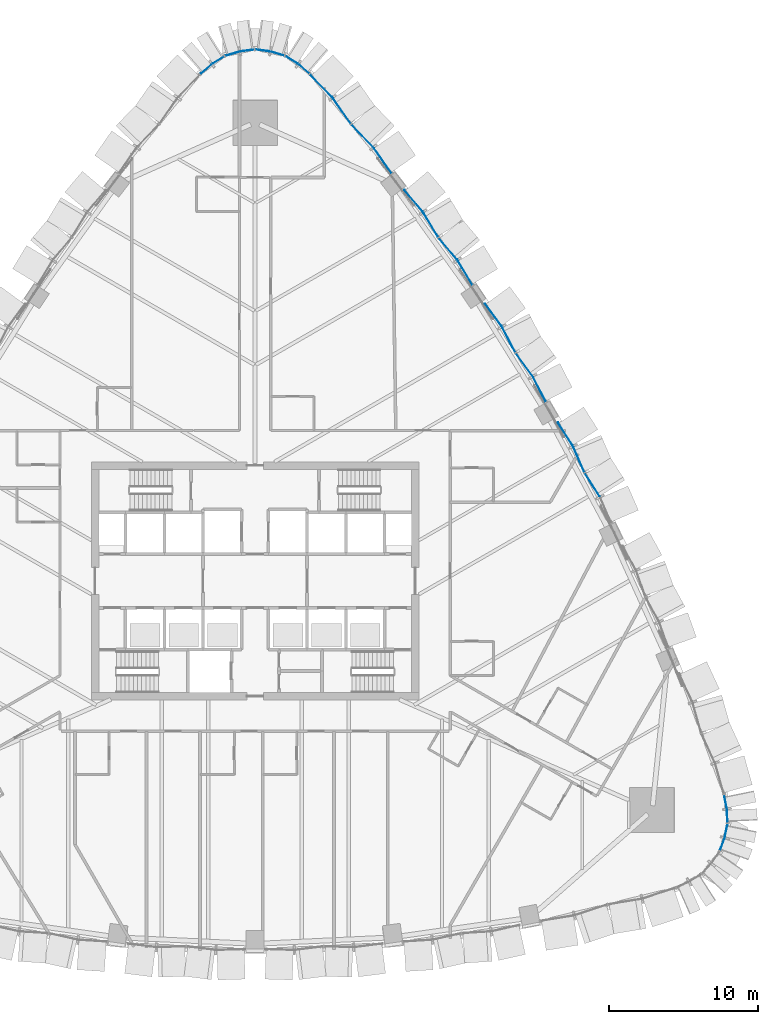
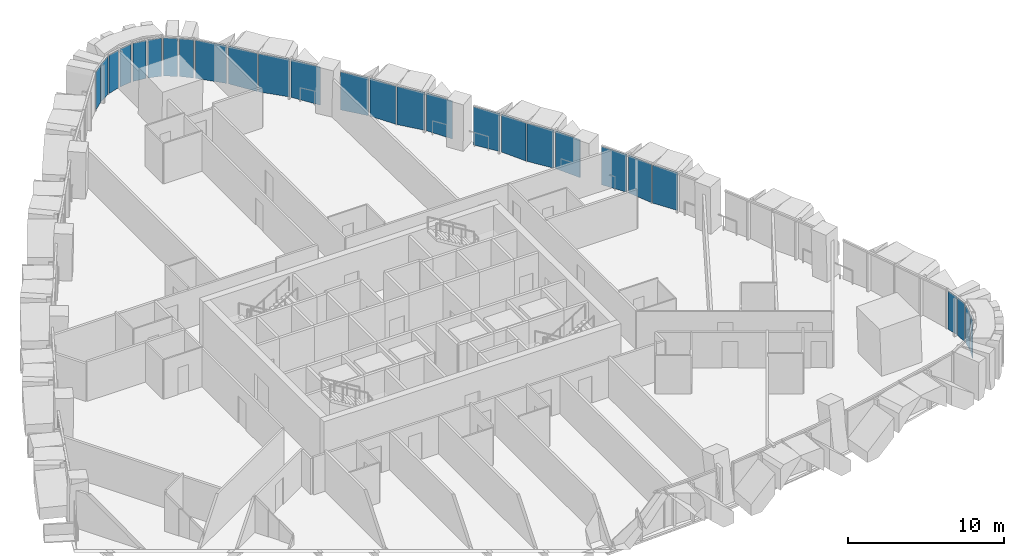
# One storey, part 12 of 22: 27 plates, 10 elements without a shape of their own.
"""IFC4 building model written with IfcOpenShell, lengths in metres."""

from ifc_helpers import new_model, si_unit, direction, frame, origin, place, context, subcontext, project, spatial, polyline, outline, extrude, material, layer, layer_set, type_object, element, aggregate, save


model = new_model("IFC4")

# Units and contexts
model_context = context("Model", 3, precision=1e-05, world=origin(), true_north=direction((0.0, 1.0)))
body_context = subcontext(model_context, "Body", "Model", "MODEL_VIEW")
ifc_project = project(units=[si_unit("LENGTHUNIT", "METRE"), si_unit("AREAUNIT", "SQUARE_METRE"), si_unit("VOLUMEUNIT", "CUBIC_METRE"), si_unit("PLANEANGLEUNIT", "RADIAN"), si_unit("MASSUNIT", "GRAM", prefix="KILO")], contexts=[model_context])

# Site, building, storey
site_placement = place(None, origin())
site = spatial("IfcSite", under=ifc_project, at=site_placement, CompositionType="ELEMENT")
building_placement = place(site_placement, origin())
building = spatial("IfcBuilding", under=site, at=building_placement, Name="Sierra Prisma Convention Tower", CompositionType="ELEMENT")
storey_placement = place(building_placement, frame((0.0, 0.0, 66.5)))
storey = spatial("IfcBuildingStorey", under=building, at=storey_placement, Name="L12", CompositionType="ELEMENT", Elevation=66.5)

# Curtain wall, plates
ifc_material_1 = material(Name="Aluminium and glass curtain wall", Category="aluminium")
ifc_layer_1 = layer(ifc_material_1, 0.179931640625)
ifc_layer_set_1 = layer_set([ifc_layer_1], Name="CW-2 Faceted crystal curtain wall")
curtain_wall_type = type_object("IfcCurtainWallType", Name="CW-2 Faceted crystal curtain wall", PredefinedType="NOTDEFINED", material=ifc_layer_set_1)
curtain_wall_1_placement = place(storey_placement, origin())
curtain_wall_1 = element("IfcCurtainWall", 1, at=curtain_wall_1_placement, inside=storey, type_object=curtain_wall_type, Name="CW-2 SE3 L12", PredefinedType="NOTDEFINED")
ifc_material_2 = material(Name="Tinted glass bronze-grey IGU", Category="glass")
ifc_layer_2 = layer(ifc_material_2, 0.028076171875)
ifc_layer_set_2 = layer_set([ifc_layer_2], Name="CW-2 crystal pane")
plate_type = type_object("IfcPlateType", Name="CW-2 crystal pane", PredefinedType="CURTAIN_PANEL", material=ifc_layer_set_2)
plate_1_placement = place(storey_placement, frame((31.2333984375, -18.109619140625, 0.0), z_axis=(0.936791055607, -0.349889294113, 0.0), x_axis=(0.349889294113, 0.936791055607, 0.0)))
plate_1 = element("IfcPlate", 2, at=plate_1_placement, type_object=plate_type, Name="CW-2 pane SE3.1.1", PredefinedType="CURTAIN_PANEL", context=body_context, shape_type="SweptSolid", body=[
    extrude(outline(polyline([(0.0, 0.0), (0.8456916015403748, 0.0), (0.8456916015403748, 2.97998046875), (0.0, 2.97998046875), (0.0, 0.0)])), origin(), (0.0, 0.0, -1.0), 0.028076171875),
])
plate_2_placement = place(storey_placement, frame((31.733154296875, -16.36376953125, 0.0), z_axis=(0.980021620084, -0.198890985637, 0.0), x_axis=(-0.198890985637, -0.980021620084, 0.0)))
plate_2 = element("IfcPlate", 3, at=plate_2_placement, type_object=plate_type, Name="CW-2 pane SE3.1.2", PredefinedType="CURTAIN_PANEL", context=body_context, shape_type="SweptSolid", body=[
    extrude(outline(polyline([(0.0, 0.0), (0.8457542210179563, 0.0), (0.8457542210179563, -2.97998046875), (0.0, -2.97998046875), (0.0, 0.0)])), origin(), (0.0, 0.0, -1.0), 0.028076171875),
])
aggregate(curtain_wall_1, [plate_1, plate_2])

curtain_wall_2_placement = place(storey_placement, origin())
curtain_wall_2 = element("IfcCurtainWall", 4, at=curtain_wall_2_placement, inside=storey, type_object=curtain_wall_type, Name="CW-2 SE4 L12", PredefinedType="NOTDEFINED")
plate_3_placement = place(storey_placement, frame((31.743896484375, -16.22705078125, 0.0), z_axis=(0.999086948825, 0.042723163371, 0.0), x_axis=(-0.042723163371, 0.999086948825, 0.0)))
plate_3 = element("IfcPlate", 5, at=plate_3_placement, type_object=plate_type, Name="CW-2 pane SE4.1.1", PredefinedType="CURTAIN_PANEL", context=body_context, shape_type="SweptSolid", body=[
    extrude(outline(polyline([(0.0, 0.0), (0.8457429096827931, 0.0), (0.8457429096827931, 2.97998046875), (0.0, 2.97998046875), (0.0, 0.0)])), origin(), (0.0, 0.0, -1.0), 0.028076171875),
])
plate_4_placement = place(storey_placement, frame((31.524169921875, -14.424560546875, 0.0), z_axis=(0.980134008241, 0.198336395777, 0.0), x_axis=(0.198336395777, -0.980134008241, 0.0)))
plate_4 = element("IfcPlate", 6, at=plate_4_placement, type_object=plate_type, Name="CW-2 pane SE4.1.2", PredefinedType="CURTAIN_PANEL", context=body_context, shape_type="SweptSolid", body=[
    extrude(outline(polyline([(0.0, 0.0), (0.8456572416690276, 0.0), (0.8456572416690276, -2.97998046875), (0.0, -2.97998046875), (0.0, 0.0)])), origin(), (0.0, 0.0, -1.0), 0.028076171875),
])
aggregate(curtain_wall_2, [plate_3, plate_4])

curtain_wall_3_placement = place(storey_placement, origin())
curtain_wall_3 = element("IfcCurtainWall", 7, at=curtain_wall_3_placement, inside=storey, type_object=curtain_wall_type, Name="CW-2 NE3 L12", PredefinedType="NOTDEFINED")
plate_5_placement = place(storey_placement, frame((22.160400390625, 7.247802734375, 0.0), z_axis=(0.843650532479, 0.536892707203, 0.0), x_axis=(0.536892707203, -0.843650532479, 0.0)))
plate_5 = element("IfcPlate", 8, at=plate_5_placement, type_object=plate_type, Name="CW-2 pane NE3.1.2", PredefinedType="CURTAIN_PANEL", context=body_context, shape_type="SweptSolid", body=[
    extrude(outline(polyline([(0.0, 0.0), (1.8352858015755928, 0.0), (1.8352858015755928, -2.9799804687499996), (0.0, -2.9799804687499996), (0.0, 0.0)])), origin(), (0.0, 0.0, -1.0), 0.028076171875),
])
plate_6_placement = place(storey_placement, frame((22.127685546875, 7.3095703125, 0.0), z_axis=(0.917256074335, 0.3982979966, 0.0), x_axis=(-0.3982979966, 0.917256074335, 0.0)))
plate_6 = element("IfcPlate", 9, at=plate_6_placement, type_object=plate_type, Name="CW-2 pane NE3.2.1", PredefinedType="CURTAIN_PANEL", context=body_context, shape_type="SweptSolid", body=[
    extrude(outline(polyline([(0.0, 0.0), (1.8352013755762004, 0.0), (1.8352013755762004, 2.9799804687499996), (0.0, 2.9799804687499996), (0.0, 0.0)])), origin(), (0.0, 0.0, -1.0), 0.028076171875),
])
plate_7_placement = place(storey_placement, frame((20.3505859375, 10.655517578125, 0.0), z_axis=(0.843710785545, 0.536798016347, 0.0), x_axis=(0.536798016347, -0.843710785545, 0.0)))
plate_7 = element("IfcPlate", 10, at=plate_7_placement, type_object=plate_type, Name="CW-2 pane NE3.2.2", PredefinedType="CURTAIN_PANEL", context=body_context, shape_type="SweptSolid", body=[
    extrude(outline(polyline([(0.0, 0.0), (1.835154735813028, 0.0), (1.835154735813028, -2.97998046875), (0.0, -2.97998046875), (0.0, 0.0)])), origin(), (0.0, 0.0, -1.0), 0.028076171875),
])
aggregate(curtain_wall_3, [plate_5, plate_6, plate_7])

curtain_wall_4_placement = place(storey_placement, origin())
curtain_wall_4 = element("IfcCurtainWall", 11, at=curtain_wall_4_placement, inside=storey, type_object=curtain_wall_type, Name="CW-2 NE4 L12", PredefinedType="NOTDEFINED")
plate_8_placement = place(storey_placement, frame((19.550048828125, 12.031494140625, 0.0), z_axis=(0.888625814984, 0.458632926144, 0.0), x_axis=(-0.458632926144, 0.888625814984, 0.0)))
plate_8 = element("IfcPlate", 12, at=plate_8_placement, type_object=plate_type, Name="CW-2 pane NE4.1.1", PredefinedType="CURTAIN_PANEL", context=body_context, shape_type="SweptSolid", body=[
    extrude(outline(polyline([(0.0, 0.0), (1.866855001173251, 0.0), (1.866855001173251, 2.97998046875), (0.0, 2.97998046875), (0.0, 0.0)])), origin(), (0.0, 0.0, -1.0), 0.028076171875),
])
plate_9_placement = place(storey_placement, frame((17.520263671875, 15.30517578125, 0.0), z_axis=(0.805939111888, 0.591998435749, 0.0), x_axis=(0.591998435749, -0.805939111888, 0.0)))
plate_9 = element("IfcPlate", 13, at=plate_9_placement, type_object=plate_type, Name="CW-2 pane NE4.1.2", PredefinedType="CURTAIN_PANEL", context=body_context, shape_type="SweptSolid", body=[
    extrude(outline(polyline([(0.0, 0.0), (1.8669383948245013, 0.0), (1.8669383948245013, -2.97998046875), (0.0, -2.97998046875), (0.0, 0.0)])), origin(), (0.0, 0.0, -1.0), 0.028076171875),
])
plate_10_placement = place(storey_placement, frame((17.4833984375, 15.36474609375, 0.0), z_axis=(0.888625814984, 0.458632926144, 0.0), x_axis=(-0.458632926144, 0.888625814984, 0.0)))
plate_10 = element("IfcPlate", 14, at=plate_10_placement, type_object=plate_type, Name="CW-2 pane NE4.2.1", PredefinedType="CURTAIN_PANEL", context=body_context, shape_type="SweptSolid", body=[
    extrude(outline(polyline([(0.0, 0.0), (1.866855001173251, 0.0), (1.866855001173251, 2.97998046875), (0.0, 2.97998046875), (0.0, 0.0)])), origin(), (0.0, 0.0, -1.0), 0.028076171875),
])
plate_11_placement = place(storey_placement, frame((15.45361328125, 18.638427734375, 0.0), z_axis=(0.805939111888, 0.591998435749, 0.0), x_axis=(0.591998435749, -0.805939111888, 0.0)))
plate_11 = element("IfcPlate", 15, at=plate_11_placement, type_object=plate_type, Name="CW-2 pane NE4.2.2", PredefinedType="CURTAIN_PANEL", context=body_context, shape_type="SweptSolid", body=[
    extrude(outline(polyline([(0.0, 0.0), (1.8669383948245013, 0.0), (1.8669383948245013, -2.97998046875), (0.0, -2.97998046875), (0.0, 0.0)])), origin(), (0.0, 0.0, -1.0), 0.028076171875),
])
aggregate(curtain_wall_4, [plate_8, plate_9, plate_10, plate_11])

curtain_wall_5_placement = place(storey_placement, origin())
curtain_wall_5 = element("IfcCurtainWall", 16, at=curtain_wall_5_placement, inside=storey, type_object=curtain_wall_type, Name="CW-2 NE5 L12", PredefinedType="NOTDEFINED")
plate_12_placement = place(storey_placement, frame((14.61767578125, 19.8818359375, 0.0), z_axis=(0.856053662336, 0.516886957856, 0.0), x_axis=(-0.516886957856, 0.856053662336, 0.0)))
plate_12 = element("IfcPlate", 17, at=plate_12_placement, type_object=plate_type, Name="CW-2 pane NE5.1.1", PredefinedType="CURTAIN_PANEL", context=body_context, shape_type="SweptSolid", body=[
    extrude(outline(polyline([(0.0, 0.0), (1.8902600779542853, 0.0), (1.8902600779542853, 2.97998046875), (0.0, 2.97998046875), (0.0, 0.0)])), origin(), (0.0, 0.0, -1.0), 0.028076171875),
])
plate_13_placement = place(storey_placement, frame((12.346923828125, 23.051025390625, 0.0), z_axis=(0.764663318434, 0.644429988006, 0.0), x_axis=(0.644429988006, -0.764663318434, 0.0)))
plate_13 = element("IfcPlate", 18, at=plate_13_placement, type_object=plate_type, Name="CW-2 pane NE5.1.2", PredefinedType="CURTAIN_PANEL", context=body_context, shape_type="SweptSolid", body=[
    extrude(outline(polyline([(0.0, 0.0), (1.8904485226069339, 0.0), (1.8904485226069339, -2.97998046875), (0.0, -2.97998046875), (0.0, 0.0)])), origin(), (0.0, 0.0, -1.0), 0.028076171875),
])
plate_14_placement = place(storey_placement, frame((12.30615234375, 23.10791015625, 0.0), z_axis=(0.856053662336, 0.516886957856, 0.0), x_axis=(-0.516886957856, 0.856053662336, 0.0)))
plate_14 = element("IfcPlate", 19, at=plate_14_placement, type_object=plate_type, Name="CW-2 pane NE5.2.1", PredefinedType="CURTAIN_PANEL", context=body_context, shape_type="SweptSolid", body=[
    extrude(outline(polyline([(0.0, 0.0), (1.8902600779542853, 0.0), (1.8902600779542853, 2.97998046875), (0.0, 2.97998046875), (0.0, 0.0)])), origin(), (0.0, 0.0, -1.0), 0.028076171875),
])
plate_15_placement = place(storey_placement, frame((10.035400390625, 26.27685546875, 0.0), z_axis=(0.764609678157, 0.644493630744, 0.0), x_axis=(0.644493630744, -0.764609678157, 0.0)))
plate_15 = element("IfcPlate", 20, at=plate_15_placement, type_object=plate_type, Name="CW-2 pane NE5.2.2", PredefinedType="CURTAIN_PANEL", context=body_context, shape_type="SweptSolid", body=[
    extrude(outline(polyline([(0.0, 0.0), (1.8902618437740188, 0.0), (1.8902618437740188, -2.97998046875), (0.0, -2.97998046875), (0.0, 0.0)])), origin(), (0.0, 0.0, -1.0), 0.028076171875),
])
aggregate(curtain_wall_5, [plate_12, plate_13, plate_14, plate_15])

curtain_wall_6_placement = place(storey_placement, origin())
curtain_wall_6 = element("IfcCurtainWall", 21, at=curtain_wall_6_placement, inside=storey, type_object=curtain_wall_type, Name="CW-2 NE6 L12", PredefinedType="NOTDEFINED")
plate_16_placement = place(storey_placement, frame((9.176025390625, 27.3916015625, 0.0), z_axis=(0.819692941719, 0.572803178497, 0.0), x_axis=(-0.572803178497, 0.819692941719, 0.0)))
plate_16 = element("IfcPlate", 22, at=plate_16_placement, type_object=plate_type, Name="CW-2 pane NE6.1.1", PredefinedType="CURTAIN_PANEL", context=body_context, shape_type="SweptSolid", body=[
    extrude(outline(polyline([(0.0, 0.0), (2.063761079944463, 0.0), (2.063761079944463, 2.97998046875), (0.0, 2.97998046875), (0.0, 0.0)])), origin(), (0.0, 0.0, -1.0), 0.028076171875),
])
plate_17_placement = place(storey_placement, frame((6.4794921875, 30.6689453125, 0.0), z_axis=(0.719943522074, 0.694032654148, 0.0), x_axis=(0.694032654148, -0.719943522074, 0.0)))
plate_17 = element("IfcPlate", 23, at=plate_17_placement, type_object=plate_type, Name="CW-2 pane NE6.1.2", PredefinedType="CURTAIN_PANEL", context=body_context, shape_type="SweptSolid", body=[
    extrude(outline(polyline([(0.0, 0.0), (2.0634892287725384, 0.0), (2.0634892287725384, -2.97998046875), (0.0, -2.97998046875), (0.0, 0.0)])), origin(), (0.0, 0.0, -1.0), 0.028076171875),
])
plate_18_placement = place(storey_placement, frame((6.43505859375, 30.72314453125, 0.0), z_axis=(0.819654121798, 0.57285872658, 0.0), x_axis=(-0.57285872658, 0.819654121798, 0.0)))
plate_18 = element("IfcPlate", 24, at=plate_18_placement, type_object=plate_type, Name="CW-2 pane NE6.2.1", PredefinedType="CURTAIN_PANEL", context=body_context, shape_type="SweptSolid", body=[
    extrude(outline(polyline([(0.0, 0.0), (2.063560964335894, 0.0), (2.063560964335894, 2.97998046875), (0.0, 2.97998046875), (0.0, 0.0)])), origin(), (0.0, 0.0, -1.0), 0.028076171875),
])
plate_19_placement = place(storey_placement, frame((3.738525390625, 34.00048828125, 0.0), z_axis=(0.720000504662, 0.693973539327, 0.0), x_axis=(0.693973539327, -0.720000504662, 0.0)))
plate_19 = element("IfcPlate", 25, at=plate_19_placement, type_object=plate_type, Name="CW-2 pane NE6.2.2", PredefinedType="CURTAIN_PANEL", context=body_context, shape_type="SweptSolid", body=[
    extrude(outline(polyline([(0.0, 0.0), (2.063665003190161, 0.0), (2.063665003190161, -2.97998046875), (0.0, -2.97998046875), (0.0, 0.0)])), origin(), (0.0, 0.0, -1.0), 0.028076171875),
])
aggregate(curtain_wall_6, [plate_16, plate_17, plate_18, plate_19])

curtain_wall_7_placement = place(storey_placement, origin())
curtain_wall_7 = element("IfcCurtainWall", 26, at=curtain_wall_7_placement, inside=storey, type_object=curtain_wall_type, Name="CW-2 N1 L12", PredefinedType="NOTDEFINED")
plate_20_placement = place(storey_placement, frame((3.6376953125, 34.09619140625, 0.0), z_axis=(0.655710943893, 0.755012025109, 0.0), x_axis=(-0.755012025109, 0.655710943893, 0.0)))
plate_20 = element("IfcPlate", 27, at=plate_20_placement, type_object=plate_type, Name="CW-2 pane N1.1.1", PredefinedType="CURTAIN_PANEL", context=body_context, shape_type="SweptSolid", body=[
    extrude(outline(polyline([(0.0, 0.0), (0.9047610449010067, 0.0), (0.9047610449010067, 2.97998046875), (0.0, 2.97998046875), (0.0, 0.0)])), origin(), (0.0, 0.0, -1.0), 0.028076171875),
])
plate_21_placement = place(storey_placement, frame((2.0830078125, 35.24560546875, 0.0), z_axis=(0.529416698702, 0.848361926972, 0.0), x_axis=(0.848361926972, -0.529416698702, 0.0)))
plate_21 = element("IfcPlate", 28, at=plate_21_placement, type_object=plate_type, Name="CW-2 pane N1.1.2", PredefinedType="CURTAIN_PANEL", context=body_context, shape_type="SweptSolid", body=[
    extrude(outline(polyline([(0.0, 0.0), (0.9047767239387156, 0.0), (0.9047767239387156, -2.97998046875), (0.0, -2.97998046875), (0.0, 0.0)])), origin(), (0.0, 0.0, -1.0), 0.028076171875),
])
aggregate(curtain_wall_7, [plate_20, plate_21])

curtain_wall_8_placement = place(storey_placement, origin())
curtain_wall_8 = element("IfcCurtainWall", 29, at=curtain_wall_8_placement, inside=storey, type_object=curtain_wall_type, Name="CW-2 N2 L12", PredefinedType="NOTDEFINED")
plate_22_placement = place(storey_placement, frame((1.95849609375, 35.302001953125, 0.0), z_axis=(0.286605029691, 0.958048828064, 0.0), x_axis=(-0.958048828064, 0.286605029691, 0.0)))
plate_22 = element("IfcPlate", 30, at=plate_22_placement, type_object=plate_type, Name="CW-2 pane N2.1.1", PredefinedType="CURTAIN_PANEL", context=body_context, shape_type="SweptSolid", body=[
    extrude(outline(polyline([(0.0, 0.0), (0.9046503616115543, 0.0), (0.9046503616115543, 2.97998046875), (0.0, 2.97998046875), (0.0, 0.0)])), origin(), (0.0, 0.0, -1.0), 0.028076171875),
])
plate_23_placement = place(storey_placement, frame((0.068359375, 35.709228515625, 0.0), z_axis=(0.133294788652, 0.99107643465, 0.0), x_axis=(0.99107643465, -0.133294788652, 0.0)))
plate_23 = element("IfcPlate", 31, at=plate_23_placement, type_object=plate_type, Name="CW-2 pane N2.1.2", PredefinedType="CURTAIN_PANEL", context=body_context, shape_type="SweptSolid", body=[
    extrude(outline(polyline([(0.0, 0.0), (0.9048025805817661, 0.0), (0.9048025805817661, -2.97998046875), (0.0, -2.97998046875), (0.0, 0.0)])), origin(), (0.0, 0.0, -1.0), 0.028076171875),
])
aggregate(curtain_wall_8, [plate_22, plate_23])

curtain_wall_9_placement = place(storey_placement, origin())
curtain_wall_9 = element("IfcCurtainWall", 32, at=curtain_wall_9_placement, inside=storey, type_object=curtain_wall_type, Name="CW-2 N3 L12", PredefinedType="NOTDEFINED")
plate_24_placement = place(storey_placement, frame((-0.068359375, 35.709228515625, 0.0), z_axis=(-0.133294788652, 0.99107643465, 0.0), x_axis=(-0.99107643465, -0.133294788652, 0.0)))
plate_24 = element("IfcPlate", 33, at=plate_24_placement, type_object=plate_type, Name="CW-2 pane N3.1.1", PredefinedType="CURTAIN_PANEL", context=body_context, shape_type="SweptSolid", body=[
    extrude(outline(polyline([(0.0, 0.0), (0.9048025805817661, 0.0), (0.9048025805817661, 2.97998046875), (0.0, 2.97998046875), (0.0, 0.0)])), origin(), (0.0, 0.0, -1.0), 0.028076171875),
])
plate_25_placement = place(storey_placement, frame((-1.95849609375, 35.302001953125, 0.0), z_axis=(-0.286605029691, 0.958048828064, 0.0), x_axis=(0.958048828064, 0.286605029691, 0.0)))
plate_25 = element("IfcPlate", 34, at=plate_25_placement, type_object=plate_type, Name="CW-2 pane N3.1.2", PredefinedType="CURTAIN_PANEL", context=body_context, shape_type="SweptSolid", body=[
    extrude(outline(polyline([(0.0, 0.0), (0.9046503616115543, 0.0), (0.9046503616115543, -2.97998046875), (0.0, -2.97998046875), (0.0, 0.0)])), origin(), (0.0, 0.0, -1.0), 0.028076171875),
])
aggregate(curtain_wall_9, [plate_24, plate_25])

curtain_wall_10_placement = place(storey_placement, origin())
curtain_wall_10 = element("IfcCurtainWall", 35, at=curtain_wall_10_placement, inside=storey, type_object=curtain_wall_type, Name="CW-2 N4 L12", PredefinedType="NOTDEFINED")
plate_26_placement = place(storey_placement, frame((-2.0830078125, 35.24560546875, 0.0), z_axis=(-0.529416698702, 0.848361926972, 0.0), x_axis=(-0.848361926972, -0.529416698702, 0.0)))
plate_26 = element("IfcPlate", 36, at=plate_26_placement, type_object=plate_type, Name="CW-2 pane N4.1.1", PredefinedType="CURTAIN_PANEL", context=body_context, shape_type="SweptSolid", body=[
    extrude(outline(polyline([(0.0, 0.0), (0.9047767239387156, 0.0), (0.9047767239387156, 2.97998046875), (0.0, 2.97998046875), (0.0, 0.0)])), origin(), (0.0, 0.0, -1.0), 0.028076171875),
])
plate_27_placement = place(storey_placement, frame((-3.6376953125, 34.09619140625, 0.0), z_axis=(-0.655710943893, 0.755012025109, 0.0), x_axis=(0.755012025109, 0.655710943893, 0.0)))
plate_27 = element("IfcPlate", 37, at=plate_27_placement, type_object=plate_type, Name="CW-2 pane N4.1.2", PredefinedType="CURTAIN_PANEL", context=body_context, shape_type="SweptSolid", body=[
    extrude(outline(polyline([(0.0, 0.0), (0.9047610449010067, 0.0), (0.9047610449010067, -2.97998046875), (0.0, -2.97998046875), (0.0, 0.0)])), origin(), (0.0, 0.0, -1.0), 0.028076171875),
])
aggregate(curtain_wall_10, [plate_26, plate_27])

save(model, "model.ifc")
